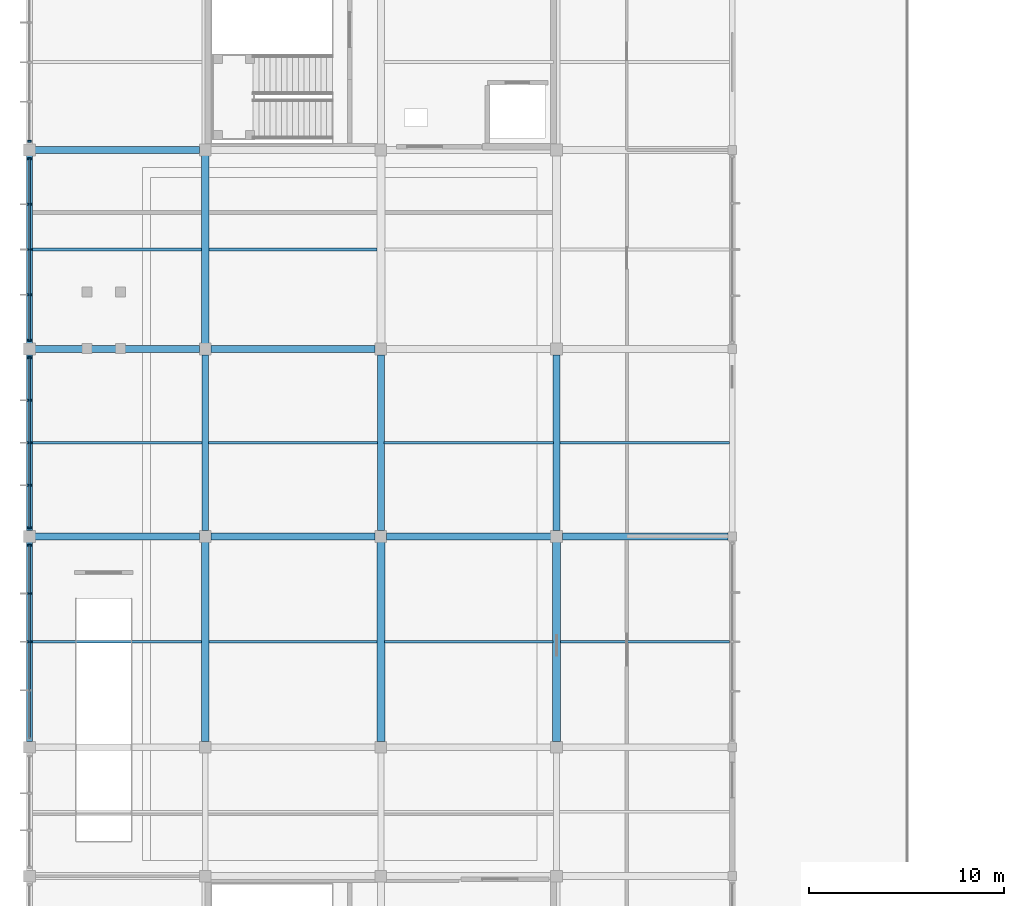
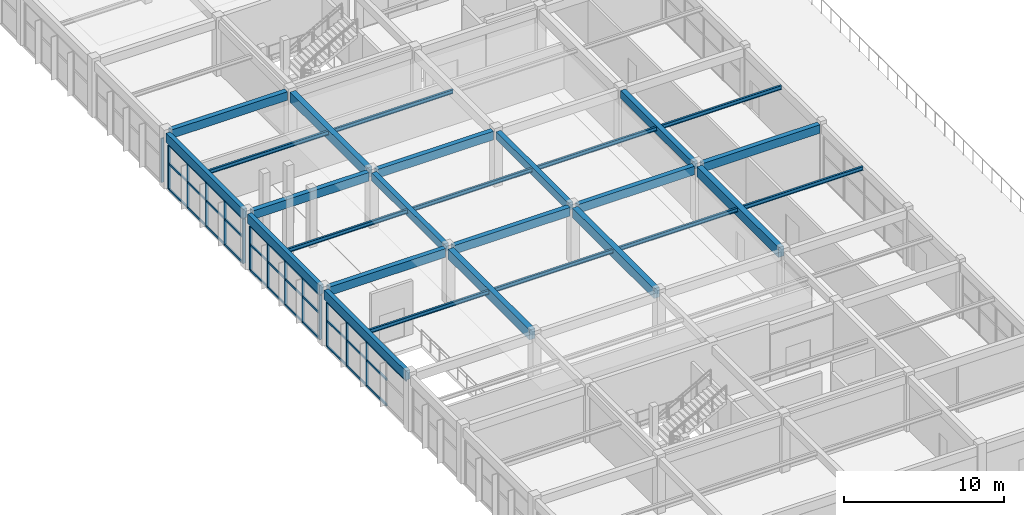
# One storey, part 10 of 89: 39 members, 27 beams, 4 elements without a shape of their own.
"""IFC4 building model written with IfcOpenShell, lengths in metres."""

from ifc_helpers import new_model, si_unit, direction, frame, origin, origin_2d, place, context, subcontext, project, spatial, rectangle, i_section, extrude, material, material_profile, profile_set, type_object, element, aggregate, save


model = new_model("IFC4")

# Units and contexts
model_context = context("Model", 3, precision=1e-05, world=origin(), true_north=direction((0.0, 1.0)))
body_context = subcontext(model_context, "Body", "Model", "MODEL_VIEW")
ifc_project = project(units=[si_unit("LENGTHUNIT", "METRE"), si_unit("AREAUNIT", "SQUARE_METRE"), si_unit("VOLUMEUNIT", "CUBIC_METRE"), si_unit("PLANEANGLEUNIT", "RADIAN"), si_unit("MASSUNIT", "GRAM", prefix="KILO")], contexts=[model_context])

# Site, building, storey
site_placement = place(None, origin())
site = spatial("IfcSite", under=ifc_project, at=site_placement, CompositionType="ELEMENT")
building_placement = place(site_placement, origin())
building = spatial("IfcBuilding", under=site, at=building_placement, Name="Suirenkawa Promenade Aquatics Centre", CompositionType="ELEMENT")
storey_placement = place(building_placement, frame((0.0, 0.0, 9.60009765625)))
storey = spatial("IfcBuildingStorey", under=building, at=storey_placement, Name="L02", CompositionType="ELEMENT", Elevation=9.60009765625)

# Beams
ifc_material_1 = material(Name="Steel IS 2062 E350 (Grade 350)", Category="steel")
ifc_material_profile_1 = material_profile(ifc_material_1, i_section(OverallWidth=0.139892578125, OverallDepth=0.300048828125, WebThickness=0.008056640625, FlangeThickness=0.012939453125, at=origin_2d()), Name="ISMB 300", Category="steel")
ifc_profile_set_1 = profile_set([ifc_material_profile_1], Name="Steel IS 2062 E350 (Grade 350)")
beam_type_1 = type_object("IfcBeamType", Name="BT-JOIST-ISMB300", PredefinedType="JOIST", material=ifc_profile_set_1)
beam_1_placement = place(storey_placement, frame((0.14404296875, 34.199951171875, 4.087890625), z_axis=(1.0, 0.0, 0.0), x_axis=(0.0, 1.0, 0.0)))
element("IfcBeam", 1, at=beam_1_placement, inside=storey, type_object=beam_type_1, Name="Secondary floor joist JS-02 BM-0693", PredefinedType="JOIST", context=body_context, shape_type="SweptSolid", body=[
    extrude(i_section(OverallWidth=0.139892578125, OverallDepth=0.300048828125, WebThickness=0.008056640625, FlangeThickness=0.012939453125, at=origin_2d()), origin(), (0.0, 0.0, 1.0), 8.661865234375),
])
beam_2_placement = place(storey_placement, frame((0.14404296875, 44.39990234375, 4.087890625), z_axis=(1.0, 0.0, 0.0), x_axis=(0.0, 1.0, 0.0)))
element("IfcBeam", 2, at=beam_2_placement, inside=storey, type_object=beam_type_1, Name="Secondary floor joist JS-02 BM-0694", PredefinedType="JOIST", context=body_context, shape_type="SweptSolid", body=[
    extrude(i_section(OverallWidth=0.139892578125, OverallDepth=0.300048828125, WebThickness=0.008056640625, FlangeThickness=0.012939453125, at=origin_2d()), origin(), (0.0, 0.0, 1.0), 8.68701171875),
])
beam_3_placement = place(storey_placement, frame((0.14404296875, 54.300048828125, 4.087890625), z_axis=(1.0, 0.0, 0.0), x_axis=(0.0, 1.0, 0.0)))
element("IfcBeam", 3, at=beam_3_placement, inside=storey, type_object=beam_type_1, Name="Secondary floor joist JS-02 BM-0695", PredefinedType="JOIST", context=body_context, shape_type="SweptSolid", body=[
    extrude(i_section(OverallWidth=0.139892578125, OverallDepth=0.300048828125, WebThickness=0.008056640625, FlangeThickness=0.012939453125, at=origin_2d()), origin(), (0.0, 0.0, 1.0), 8.661865234375),
])
beam_4_placement = place(storey_placement, frame((9.194091796875, 34.199951171875, 4.087890625), z_axis=(1.0, 0.0, 0.0), x_axis=(0.0, 1.0, 0.0)))
element("IfcBeam", 4, at=beam_4_placement, inside=storey, type_object=beam_type_1, Name="Secondary floor joist JS-02 BM-0704", PredefinedType="JOIST", context=body_context, shape_type="SweptSolid", body=[
    extrude(i_section(OverallWidth=0.139892578125, OverallDepth=0.300048828125, WebThickness=0.008056640625, FlangeThickness=0.012939453125, at=origin_2d()), origin(), (0.0, 0.0, 1.0), 8.61181640625),
])
beam_5_placement = place(storey_placement, frame((9.1689453125, 44.39990234375, 4.087890625), z_axis=(1.0, 0.0, 0.0), x_axis=(0.0, 1.0, 0.0)))
element("IfcBeam", 5, at=beam_5_placement, inside=storey, type_object=beam_type_1, Name="Secondary floor joist JS-02 BM-0705", PredefinedType="JOIST", context=body_context, shape_type="SweptSolid", body=[
    extrude(i_section(OverallWidth=0.139892578125, OverallDepth=0.300048828125, WebThickness=0.008056640625, FlangeThickness=0.012939453125, at=origin_2d()), origin(), (0.0, 0.0, 1.0), 8.662109375),
])
for number, where, z_axis, x_axis, name in (
    (6, (9.194091796875, 54.300048828125, 4.087890625), (1.0, 0.0, 0.0), (0.0, 1.0, 0.0), "Secondary floor joist JS-02 BM-0706"),
    (7, (18.194091796875, 34.199951171875, 4.087890625), (1.0, 0.0, 0.0), (0.0, 1.0, 0.0), "Secondary floor joist JS-02 BM-0715"),
):
    element("IfcBeam", number, at=place(storey_placement, frame(where, z_axis=z_axis, x_axis=x_axis)), inside=storey, type_object=beam_type_1, Name=name, PredefinedType="JOIST", context=body_context, shape_type="SweptSolid", body=[
        extrude(i_section(OverallWidth=0.139892578125, OverallDepth=0.300048828125, WebThickness=0.008056640625, FlangeThickness=0.012939453125, at=origin_2d()), origin(), (0.0, 0.0, 1.0), 8.61181640625),
    ])
beam_6_placement = place(storey_placement, frame((18.1689453125, 44.39990234375, 4.087890625), z_axis=(1.0, 0.0, 0.0), x_axis=(0.0, 1.0, 0.0)))
element("IfcBeam", 8, at=beam_6_placement, inside=storey, type_object=beam_type_1, Name="Secondary floor joist JS-02 BM-0716", PredefinedType="JOIST", context=body_context, shape_type="SweptSolid", body=[
    extrude(i_section(OverallWidth=0.139892578125, OverallDepth=0.300048828125, WebThickness=0.008056640625, FlangeThickness=0.012939453125, at=origin_2d()), origin(), (0.0, 0.0, 1.0), 8.662109375),
])
beam_7_placement = place(storey_placement, frame((27.194091796875, 34.199951171875, 4.087890625), z_axis=(1.0, 0.0, 0.0), x_axis=(0.0, 1.0, 0.0)))
element("IfcBeam", 9, at=beam_7_placement, inside=storey, type_object=beam_type_1, Name="Secondary floor joist JS-02 BM-0727", PredefinedType="JOIST", context=body_context, shape_type="SweptSolid", body=[
    extrude(i_section(OverallWidth=0.139892578125, OverallDepth=0.300048828125, WebThickness=0.008056640625, FlangeThickness=0.012939453125, at=origin_2d()), origin(), (0.0, 0.0, 1.0), 8.661865234375),
])
beam_8_placement = place(storey_placement, frame((27.1689453125, 44.39990234375, 4.087890625), z_axis=(1.0, 0.0, 0.0), x_axis=(0.0, 1.0, 0.0)))
element("IfcBeam", 10, at=beam_8_placement, inside=storey, type_object=beam_type_1, Name="Secondary floor joist JS-02 BM-0728", PredefinedType="JOIST", context=body_context, shape_type="SweptSolid", body=[
    extrude(i_section(OverallWidth=0.139892578125, OverallDepth=0.300048828125, WebThickness=0.008056640625, FlangeThickness=0.012939453125, at=origin_2d()), origin(), (0.0, 0.0, 1.0), 8.68701171875),
])
ifc_material_2 = material(Name="Concrete M35", Category="concrete")
ifc_material_profile_2 = material_profile(ifc_material_2, rectangle(XDim=0.35009765625, YDim=0.60009765625, at=origin_2d()), Name="RC BM 350x600", Category="concrete")
ifc_profile_set_2 = profile_set([ifc_material_profile_2], Name="Concrete M35")
beam_type_2 = type_object("IfcBeamType", Name="BT-RC-350x600", PredefinedType="BEAM", material=ifc_profile_set_2)
for number, where, z_axis, x_axis, name in (
    (11, (9.0, 39.89404296875, 3.93994140625), (0.0, 1.0, 0.0), (-1.0, 0.0, 0.0), "Floor beam BM-02 BM-0646"),
    (12, (18.0, 39.89404296875, 3.93994140625), (0.0, 1.0, 0.0), (-1.0, 0.0, 0.0), "Floor beam BM-02 BM-0658"),
    (13, (27.0, 39.89404296875, 3.93994140625), (0.0, 1.0, 0.0), (-1.0, 0.0, 0.0), "Floor beam BM-02 BM-0670"),
):
    element("IfcBeam", number, at=place(storey_placement, frame(where, z_axis=z_axis, x_axis=x_axis)), inside=storey, type_object=beam_type_2, Name=name, PredefinedType="BEAM", context=body_context, shape_type="SweptSolid", body=[
        extrude(rectangle(XDim=0.35009765625, YDim=0.60009765625, at=origin_2d()), origin(), (0.0, 0.0, 1.0), 9.011962890625),
    ])
ifc_material_profile_3 = material_profile(ifc_material_2, rectangle(XDim=0.35009765625, YDim=0.64990234375, at=origin_2d()), Name="RC BM 350x650", Category="concrete")
ifc_profile_set_3 = profile_set([ifc_material_profile_3], Name="Concrete M35")
beam_type_3 = type_object("IfcBeamType", Name="BT-RC-350x650", PredefinedType="BEAM", material=ifc_profile_set_3)
for number, where, z_axis, x_axis, name in (
    (14, (0.2939453125, 39.60009765625, 3.914794921875), (1.0, 0.0, 0.0), (0.0, 1.0, 0.0), "Floor beam BM-03 BM-0594"),
    (15, (9.2939453125, 39.60009765625, 3.914794921875), (1.0, 0.0, 0.0), (0.0, 1.0, 0.0), "Floor beam BM-03 BM-0595"),
    (16, (18.2939453125, 39.60009765625, 3.914794921875), (1.0, 0.0, 0.0), (0.0, 1.0, 0.0), "Floor beam BM-03 BM-0596"),
):
    element("IfcBeam", number, at=place(storey_placement, frame(where, z_axis=z_axis, x_axis=x_axis)), inside=storey, type_object=beam_type_3, Name=name, PredefinedType="BEAM", context=body_context, shape_type="SweptSolid", body=[
        extrude(rectangle(XDim=0.35009765625, YDim=0.64990234375, at=origin_2d()), origin(), (0.0, 0.0, 1.0), 8.412109375),
    ])
beam_9_placement = place(storey_placement, frame((27.2939453125, 39.60009765625, 3.914794921875), z_axis=(1.0, 0.0, 0.0), x_axis=(0.0, 1.0, 0.0)))
element("IfcBeam", 17, at=beam_9_placement, inside=storey, type_object=beam_type_3, Name="Floor beam BM-03 BM-0597", PredefinedType="BEAM", context=body_context, shape_type="SweptSolid", body=[
    extrude(rectangle(XDim=0.35009765625, YDim=0.64990234375, at=origin_2d()), origin(), (0.0, 0.0, 1.0), 8.487060546875),
])
for number, where, z_axis, x_axis, name in (
    (18, (0.2939453125, 49.199951171875, 3.914794921875), (1.0, 0.0, 0.0), (0.0, 1.0, 0.0), "Floor beam BM-03 BM-0598"),
    (19, (9.2939453125, 49.199951171875, 3.914794921875), (1.0, 0.0, 0.0), (0.0, 1.0, 0.0), "Floor beam BM-03 BM-0599"),
    (20, (0.2939453125, 59.39990234375, 3.914794921875), (1.0, 0.0, 0.0), (0.0, 1.0, 0.0), "Floor beam BM-03 BM-0602"),
):
    element("IfcBeam", number, at=place(storey_placement, frame(where, z_axis=z_axis, x_axis=x_axis)), inside=storey, type_object=beam_type_3, Name=name, PredefinedType="BEAM", context=body_context, shape_type="SweptSolid", body=[
        extrude(rectangle(XDim=0.35009765625, YDim=0.64990234375, at=origin_2d()), origin(), (0.0, 0.0, 1.0), 8.412109375),
    ])
ifc_material_3 = material(Name="Concrete M40", Category="concrete")
ifc_material_profile_4 = material_profile(ifc_material_3, rectangle(XDim=0.39990234375, YDim=0.75, at=origin_2d()), Name="RC BM 400x750", Category="concrete")
ifc_profile_set_4 = profile_set([ifc_material_profile_4], Name="Concrete M40")
beam_type_4 = type_object("IfcBeamType", Name="BT-RC-400x750", PredefinedType="BEAM", material=ifc_profile_set_4)
beam_10_placement = place(storey_placement, frame((9.0, 29.093994140625, 3.864990234375), z_axis=(0.0, 1.0, 0.0), x_axis=(-1.0, 0.0, 0.0)))
element("IfcBeam", 21, at=beam_10_placement, inside=storey, type_object=beam_type_4, Name="Floor beam BM-05 BM-0645", PredefinedType="BEAM", context=body_context, shape_type="SweptSolid", body=[
    extrude(rectangle(XDim=0.39990234375, YDim=0.75, at=origin_2d()), origin(), (0.0, 0.0, 1.0), 10.2119140625),
])
beam_11_placement = place(storey_placement, frame((9.0, 49.493896484375, 3.864990234375), z_axis=(0.0, 1.0, 0.0), x_axis=(-1.0, 0.0, 0.0)))
element("IfcBeam", 22, at=beam_11_placement, inside=storey, type_object=beam_type_4, Name="Floor beam BM-05 BM-0647", PredefinedType="BEAM", context=body_context, shape_type="SweptSolid", body=[
    extrude(rectangle(XDim=0.39990234375, YDim=0.75, at=origin_2d()), origin(), (0.0, 0.0, 1.0), 9.612060546875),
])
for number, where, z_axis, x_axis, name in (
    (23, (18.0, 29.093994140625, 3.864990234375), (0.0, 1.0, 0.0), (-1.0, 0.0, 0.0), "Floor beam BM-05 BM-0657"),
    (24, (27.0, 29.093994140625, 3.864990234375), (0.0, 1.0, 0.0), (-1.0, 0.0, 0.0), "Floor beam BM-05 BM-0669"),
):
    element("IfcBeam", number, at=place(storey_placement, frame(where, z_axis=z_axis, x_axis=x_axis)), inside=storey, type_object=beam_type_4, Name=name, PredefinedType="BEAM", context=body_context, shape_type="SweptSolid", body=[
        extrude(rectangle(XDim=0.39990234375, YDim=0.75, at=origin_2d()), origin(), (0.0, 0.0, 1.0), 10.2119140625),
    ])
ifc_material_profile_5 = material_profile(ifc_material_3, rectangle(XDim=0.300048828125, YDim=0.699951171875, at=origin_2d()), Name="RC SPANDREL 300x700", Category="concrete")
ifc_profile_set_5 = profile_set([ifc_material_profile_5], Name="Concrete M40")
beam_type_5 = type_object("IfcBeamType", Name="BT-SPANDREL-300x700", PredefinedType="SPANDREL", material=ifc_profile_set_5)
beam_12_placement = place(storey_placement, frame((0.0, 29.093994140625, 3.889892578125), z_axis=(0.0, 1.0, 0.0), x_axis=(-1.0, 0.0, 0.0)))
element("IfcBeam", 25, at=beam_12_placement, inside=storey, type_object=beam_type_5, Name="Floor beam SP-01 BM-0633", PredefinedType="SPANDREL", context=body_context, shape_type="SweptSolid", body=[
    extrude(rectangle(XDim=0.300048828125, YDim=0.699951171875, at=origin_2d()), origin(), (0.0, 0.0, 1.0), 10.2119140625),
])
beam_13_placement = place(storey_placement, frame((0.0, 39.89404296875, 3.889892578125), z_axis=(0.0, 1.0, 0.0), x_axis=(-1.0, 0.0, 0.0)))
element("IfcBeam", 26, at=beam_13_placement, inside=storey, type_object=beam_type_5, Name="Floor beam SP-01 BM-0634", PredefinedType="SPANDREL", context=body_context, shape_type="SweptSolid", body=[
    extrude(rectangle(XDim=0.300048828125, YDim=0.699951171875, at=origin_2d()), origin(), (0.0, 0.0, 1.0), 9.011962890625),
])
beam_14_placement = place(storey_placement, frame((0.0, 49.493896484375, 3.889892578125), z_axis=(0.0, 1.0, 0.0), x_axis=(-1.0, 0.0, 0.0)))
element("IfcBeam", 27, at=beam_14_placement, inside=storey, type_object=beam_type_5, Name="Floor beam SP-01 BM-0635", PredefinedType="SPANDREL", context=body_context, shape_type="SweptSolid", body=[
    extrude(rectangle(XDim=0.300048828125, YDim=0.699951171875, at=origin_2d()), origin(), (0.0, 0.0, 1.0), 9.612060546875),
])

# Curtain wall, members
ifc_material_4 = material(Name="Anodised aluminium 6063-T6", Category="aluminium")
curtain_wall_type_1 = type_object("IfcCurtainWallType", Name="CWAT-V5WL02-63", PredefinedType="NOTDEFINED", material=ifc_material_4)
curtain_wall_1_placement = place(storey_placement, origin())
curtain_wall_1 = element("IfcCurtainWall", 28, at=curtain_wall_1_placement, inside=storey, type_object=curtain_wall_type_1, Name="Curtain wall CWA-63 CW-117", PredefinedType="NOTDEFINED")
ifc_material_profile_6 = material_profile(ifc_material_4, rectangle(XDim=0.094970703125, YDim=0.18994140625, at=origin_2d()), Name="ALU MULL 95x190", Category="aluminium")
ifc_profile_set_6 = profile_set([ifc_material_profile_6], Name="Anodised aluminium 6063-T6")
member_type_1 = type_object("IfcMemberType", Name="CWM-190x95", PredefinedType="MULLION", material=ifc_profile_set_6)
member_1_placement = place(storey_placement, frame((0.0, 34.199951171875, 0.0), z_axis=(0.0, 0.0, 1.0), x_axis=(0.0, 1.0, 0.0)))
member_1 = element("IfcMember", 29, at=member_1_placement, type_object=member_type_1, Name="Mullion ML-02 CWM-02350", PredefinedType="MULLION", context=body_context, shape_type="SweptSolid", body=[
    extrude(rectangle(XDim=0.094970703125, YDim=0.18994140625, at=origin_2d()), origin(), (0.0, 0.0, 1.0), 3.369873046875),
])
member_2_placement = place(storey_placement, frame((0.0, 36.675537109375, 0.0), z_axis=(0.0, 0.0, 1.0), x_axis=(0.0, 1.0, 0.0)))
member_2 = element("IfcMember", 30, at=member_2_placement, type_object=member_type_1, Name="Mullion ML-02 CWM-02351", PredefinedType="MULLION", context=body_context, shape_type="SweptSolid", body=[
    extrude(rectangle(XDim=0.094970703125, YDim=0.18994140625, at=origin_2d()), origin(), (0.0, 0.0, 1.0), 3.369873046875),
])
member_3_placement = place(storey_placement, frame((0.0, 39.15087890625, 0.0), z_axis=(0.0, 0.0, 1.0), x_axis=(0.0, 1.0, 0.0)))
member_3 = element("IfcMember", 31, at=member_3_placement, type_object=member_type_1, Name="Mullion ML-02 CWM-02352", PredefinedType="MULLION", context=body_context, shape_type="SweptSolid", body=[
    extrude(rectangle(XDim=0.094970703125, YDim=0.18994140625, at=origin_2d()), origin(), (0.0, 0.0, 1.0), 3.369873046875),
])

curtain_wall_type_2 = type_object("IfcCurtainWallType", Name="CWAT-V5WL02-65", PredefinedType="NOTDEFINED", material=ifc_material_4)
curtain_wall_2_placement = place(storey_placement, origin())
curtain_wall_2 = element("IfcCurtainWall", 32, at=curtain_wall_2_placement, inside=storey, type_object=curtain_wall_type_2, Name="Curtain wall CWA-65 CW-119", PredefinedType="NOTDEFINED")
member_4_placement = place(storey_placement, frame((0.0, 40.049072265625, 0.0), z_axis=(0.0, 0.0, 1.0), x_axis=(0.0, 1.0, 0.0)))
member_4 = element("IfcMember", 33, at=member_4_placement, type_object=member_type_1, Name="Mullion ML-02 CWM-02392", PredefinedType="MULLION", context=body_context, shape_type="SweptSolid", body=[
    extrude(rectangle(XDim=0.094970703125, YDim=0.18994140625, at=origin_2d()), origin(), (0.0, 0.0, 1.0), 3.369873046875),
])
member_5_placement = place(storey_placement, frame((0.0, 42.224609375, 0.0), z_axis=(0.0, 0.0, 1.0), x_axis=(0.0, 1.0, 0.0)))
member_5 = element("IfcMember", 34, at=member_5_placement, type_object=member_type_1, Name="Mullion ML-02 CWM-02393", PredefinedType="MULLION", context=body_context, shape_type="SweptSolid", body=[
    extrude(rectangle(XDim=0.094970703125, YDim=0.18994140625, at=origin_2d()), origin(), (0.0, 0.0, 1.0), 3.369873046875),
])
member_6_placement = place(storey_placement, frame((0.0, 44.39990234375, 0.0), z_axis=(0.0, 0.0, 1.0), x_axis=(0.0, 1.0, 0.0)))
member_6 = element("IfcMember", 35, at=member_6_placement, type_object=member_type_1, Name="Mullion ML-02 CWM-02394", PredefinedType="MULLION", context=body_context, shape_type="SweptSolid", body=[
    extrude(rectangle(XDim=0.094970703125, YDim=0.18994140625, at=origin_2d()), origin(), (0.0, 0.0, 1.0), 3.369873046875),
])
member_7_placement = place(storey_placement, frame((0.0, 46.575439453125, 0.0), z_axis=(0.0, 0.0, 1.0), x_axis=(0.0, 1.0, 0.0)))
member_7 = element("IfcMember", 36, at=member_7_placement, type_object=member_type_1, Name="Mullion ML-02 CWM-02395", PredefinedType="MULLION", context=body_context, shape_type="SweptSolid", body=[
    extrude(rectangle(XDim=0.094970703125, YDim=0.18994140625, at=origin_2d()), origin(), (0.0, 0.0, 1.0), 3.369873046875),
])
member_8_placement = place(storey_placement, frame((0.0, 48.7509765625, 0.0), z_axis=(0.0, 0.0, 1.0), x_axis=(0.0, 1.0, 0.0)))
member_8 = element("IfcMember", 37, at=member_8_placement, type_object=member_type_1, Name="Mullion ML-02 CWM-02396", PredefinedType="MULLION", context=body_context, shape_type="SweptSolid", body=[
    extrude(rectangle(XDim=0.094970703125, YDim=0.18994140625, at=origin_2d()), origin(), (0.0, 0.0, 1.0), 3.369873046875),
])

curtain_wall_type_3 = type_object("IfcCurtainWallType", Name="CWAT-V5WL02-66", PredefinedType="NOTDEFINED", material=ifc_material_4)
curtain_wall_3_placement = place(storey_placement, origin())
curtain_wall_3 = element("IfcCurtainWall", 38, at=curtain_wall_3_placement, inside=storey, type_object=curtain_wall_type_3, Name="Curtain wall CWA-66 CW-120", PredefinedType="NOTDEFINED")
member_9_placement = place(storey_placement, frame((0.0, 49.64892578125, 0.0), z_axis=(0.0, 0.0, 1.0), x_axis=(0.0, 1.0, 0.0)))
member_9 = element("IfcMember", 39, at=member_9_placement, type_object=member_type_1, Name="Mullion ML-02 CWM-02414", PredefinedType="MULLION", context=body_context, shape_type="SweptSolid", body=[
    extrude(rectangle(XDim=0.094970703125, YDim=0.18994140625, at=origin_2d()), origin(), (0.0, 0.0, 1.0), 3.369873046875),
])
member_10_placement = place(storey_placement, frame((0.0, 51.974609375, 0.0), z_axis=(0.0, 0.0, 1.0), x_axis=(0.0, 1.0, 0.0)))
member_10 = element("IfcMember", 40, at=member_10_placement, type_object=member_type_1, Name="Mullion ML-02 CWM-02415", PredefinedType="MULLION", context=body_context, shape_type="SweptSolid", body=[
    extrude(rectangle(XDim=0.094970703125, YDim=0.18994140625, at=origin_2d()), origin(), (0.0, 0.0, 1.0), 3.369873046875),
])
member_11_placement = place(storey_placement, frame((0.0, 54.300048828125, 0.0), z_axis=(0.0, 0.0, 1.0), x_axis=(0.0, 1.0, 0.0)))
member_11 = element("IfcMember", 41, at=member_11_placement, type_object=member_type_1, Name="Mullion ML-02 CWM-02416", PredefinedType="MULLION", context=body_context, shape_type="SweptSolid", body=[
    extrude(rectangle(XDim=0.094970703125, YDim=0.18994140625, at=origin_2d()), origin(), (0.0, 0.0, 1.0), 3.369873046875),
])
member_12_placement = place(storey_placement, frame((0.0, 56.62548828125, 0.0), z_axis=(0.0, 0.0, 1.0), x_axis=(0.0, 1.0, 0.0)))
member_12 = element("IfcMember", 42, at=member_12_placement, type_object=member_type_1, Name="Mullion ML-02 CWM-02417", PredefinedType="MULLION", context=body_context, shape_type="SweptSolid", body=[
    extrude(rectangle(XDim=0.094970703125, YDim=0.18994140625, at=origin_2d()), origin(), (0.0, 0.0, 1.0), 3.369873046875),
])
member_13_placement = place(storey_placement, frame((0.0, 58.950927734375, 0.0), z_axis=(0.0, 0.0, 1.0), x_axis=(0.0, 1.0, 0.0)))
member_13 = element("IfcMember", 43, at=member_13_placement, type_object=member_type_1, Name="Mullion ML-02 CWM-02418", PredefinedType="MULLION", context=body_context, shape_type="SweptSolid", body=[
    extrude(rectangle(XDim=0.094970703125, YDim=0.18994140625, at=origin_2d()), origin(), (0.0, 0.0, 1.0), 3.369873046875),
])

# Curtain wall, member
curtain_wall_type_4 = type_object("IfcCurtainWallType", Name="CWAT-V5WL02-60", PredefinedType="NOTDEFINED", material=ifc_material_4)
curtain_wall_4_placement = place(storey_placement, origin())
curtain_wall_4 = element("IfcCurtainWall", 44, at=curtain_wall_4_placement, inside=storey, type_object=curtain_wall_type_4, Name="Curtain wall CWA-60 CW-122", PredefinedType="NOTDEFINED")
member_14_placement = place(storey_placement, frame((0.0, 59.84912109375, 0.0), z_axis=(0.0, 0.0, 1.0), x_axis=(0.0, 1.0, 0.0)))
member_14 = element("IfcMember", 45, at=member_14_placement, type_object=member_type_1, Name="Mullion ML-02 CWM-02458", PredefinedType="MULLION", context=body_context, shape_type="SweptSolid", body=[
    extrude(rectangle(XDim=0.094970703125, YDim=0.18994140625, at=origin_2d()), origin(), (0.0, 0.0, 1.0), 3.369873046875),
])
aggregate(curtain_wall_4, [member_14])

# Member
ifc_material_profile_7 = material_profile(ifc_material_4, rectangle(XDim=0.094970703125, YDim=0.14990234375, at=origin_2d()), Name="ALU TRAN 95x150", Category="aluminium")
ifc_profile_set_7 = profile_set([ifc_material_profile_7], Name="Anodised aluminium 6063-T6")
member_type_2 = type_object("IfcMemberType", Name="CWT-150x95", PredefinedType="USERDEFINED", material=ifc_profile_set_7)
member_15_placement = place(storey_placement, frame((0.0, 31.724609375, 0.0), z_axis=(0.0, 1.0, 0.0), x_axis=(-1.0, 0.0, 0.0)))
member_15 = element("IfcMember", 46, at=member_15_placement, type_object=member_type_2, Name="Transom TR-02 CWT-02354", ObjectType="TRANSOM", PredefinedType="USERDEFINED", context=body_context, shape_type="SweptSolid", body=[
    extrude(rectangle(XDim=0.094970703125, YDim=0.14990234375, at=origin_2d()), origin(), (0.0, 0.0, 1.0), 2.475341796875),
])

member_16_placement = place(storey_placement, frame((0.0, 34.199951171875, 0.0), z_axis=(0.0, 1.0, 0.0), x_axis=(-1.0, 0.0, 0.0)))
member_16 = element("IfcMember", 47, at=member_16_placement, type_object=member_type_2, Name="Transom TR-02 CWT-02355", ObjectType="TRANSOM", PredefinedType="USERDEFINED", context=body_context, shape_type="SweptSolid", body=[
    extrude(rectangle(XDim=0.094970703125, YDim=0.14990234375, at=origin_2d()), origin(), (0.0, 0.0, 1.0), 2.4755859375),
])

member_17_placement = place(storey_placement, frame((0.0, 36.675537109375, 0.0), z_axis=(0.0, 1.0, 0.0), x_axis=(-1.0, 0.0, 0.0)))
member_17 = element("IfcMember", 48, at=member_17_placement, type_object=member_type_2, Name="Transom TR-02 CWT-02356", ObjectType="TRANSOM", PredefinedType="USERDEFINED", context=body_context, shape_type="SweptSolid", body=[
    extrude(rectangle(XDim=0.094970703125, YDim=0.14990234375, at=origin_2d()), origin(), (0.0, 0.0, 1.0), 2.475341796875),
])

member_18_placement = place(storey_placement, frame((0.0, 31.724609375, 1.949951171875), z_axis=(0.0, 1.0, 0.0), x_axis=(-1.0, 0.0, 0.0)))
member_18 = element("IfcMember", 49, at=member_18_placement, type_object=member_type_2, Name="Transom TR-02 CWT-02358", ObjectType="TRANSOM", PredefinedType="USERDEFINED", context=body_context, shape_type="SweptSolid", body=[
    extrude(rectangle(XDim=0.094970703125, YDim=0.14990234375, at=origin_2d()), origin(), (0.0, 0.0, 1.0), 2.475341796875),
])

member_19_placement = place(storey_placement, frame((0.0, 34.199951171875, 1.949951171875), z_axis=(0.0, 1.0, 0.0), x_axis=(-1.0, 0.0, 0.0)))
member_19 = element("IfcMember", 50, at=member_19_placement, type_object=member_type_2, Name="Transom TR-02 CWT-02359", ObjectType="TRANSOM", PredefinedType="USERDEFINED", context=body_context, shape_type="SweptSolid", body=[
    extrude(rectangle(XDim=0.094970703125, YDim=0.14990234375, at=origin_2d()), origin(), (0.0, 0.0, 1.0), 2.4755859375),
])

member_20_placement = place(storey_placement, frame((0.0, 36.675537109375, 1.949951171875), z_axis=(0.0, 1.0, 0.0), x_axis=(-1.0, 0.0, 0.0)))
member_20 = element("IfcMember", 51, at=member_20_placement, type_object=member_type_2, Name="Transom TR-02 CWT-02360", ObjectType="TRANSOM", PredefinedType="USERDEFINED", context=body_context, shape_type="SweptSolid", body=[
    extrude(rectangle(XDim=0.094970703125, YDim=0.14990234375, at=origin_2d()), origin(), (0.0, 0.0, 1.0), 2.475341796875),
])

member_21_placement = place(storey_placement, frame((0.0, 29.2490234375, 3.369873046875), z_axis=(0.0, 1.0, 0.0), x_axis=(-1.0, 0.0, 0.0)))
member_21 = element("IfcMember", 52, at=member_21_placement, type_object=member_type_2, Name="Roofline transom TR-02 CWT-02361", ObjectType="TRANSOM", PredefinedType="USERDEFINED", context=body_context, shape_type="SweptSolid", body=[
    extrude(rectangle(XDim=0.094970703125, YDim=0.14990234375, at=origin_2d()), origin(), (0.0, 0.0, 1.0), 9.90185546875),
])

aggregate(curtain_wall_1, [member_1, member_2, member_3, member_15, member_16, member_17, member_18, member_19, member_20, member_21])

member_22_placement = place(storey_placement, frame((0.0, 40.049072265625, 0.0), z_axis=(0.0, 1.0, 0.0), x_axis=(-1.0, 0.0, 0.0)))
member_22 = element("IfcMember", 53, at=member_22_placement, type_object=member_type_2, Name="Transom TR-02 CWT-02397", ObjectType="TRANSOM", PredefinedType="USERDEFINED", context=body_context, shape_type="SweptSolid", body=[
    extrude(rectangle(XDim=0.094970703125, YDim=0.14990234375, at=origin_2d()), origin(), (0.0, 0.0, 1.0), 2.175537109375),
])

member_23_placement = place(storey_placement, frame((0.0, 42.224609375, 0.0), z_axis=(0.0, 1.0, 0.0), x_axis=(-1.0, 0.0, 0.0)))
member_23 = element("IfcMember", 54, at=member_23_placement, type_object=member_type_2, Name="Transom TR-02 CWT-02398", ObjectType="TRANSOM", PredefinedType="USERDEFINED", context=body_context, shape_type="SweptSolid", body=[
    extrude(rectangle(XDim=0.094970703125, YDim=0.14990234375, at=origin_2d()), origin(), (0.0, 0.0, 1.0), 2.17529296875),
])

member_24_placement = place(storey_placement, frame((0.0, 44.39990234375, 0.0), z_axis=(0.0, 1.0, 0.0), x_axis=(-1.0, 0.0, 0.0)))
member_24 = element("IfcMember", 55, at=member_24_placement, type_object=member_type_2, Name="Transom TR-02 CWT-02399", ObjectType="TRANSOM", PredefinedType="USERDEFINED", context=body_context, shape_type="SweptSolid", body=[
    extrude(rectangle(XDim=0.094970703125, YDim=0.14990234375, at=origin_2d()), origin(), (0.0, 0.0, 1.0), 2.175537109375),
])

member_25_placement = place(storey_placement, frame((0.0, 46.575439453125, 0.0), z_axis=(0.0, 1.0, 0.0), x_axis=(-1.0, 0.0, 0.0)))
member_25 = element("IfcMember", 56, at=member_25_placement, type_object=member_type_2, Name="Transom TR-02 CWT-02400", ObjectType="TRANSOM", PredefinedType="USERDEFINED", context=body_context, shape_type="SweptSolid", body=[
    extrude(rectangle(XDim=0.094970703125, YDim=0.14990234375, at=origin_2d()), origin(), (0.0, 0.0, 1.0), 2.175537109375),
])

member_26_placement = place(storey_placement, frame((0.0, 40.049072265625, 1.949951171875), z_axis=(0.0, 1.0, 0.0), x_axis=(-1.0, 0.0, 0.0)))
member_26 = element("IfcMember", 57, at=member_26_placement, type_object=member_type_2, Name="Transom TR-02 CWT-02401", ObjectType="TRANSOM", PredefinedType="USERDEFINED", context=body_context, shape_type="SweptSolid", body=[
    extrude(rectangle(XDim=0.094970703125, YDim=0.14990234375, at=origin_2d()), origin(), (0.0, 0.0, 1.0), 2.175537109375),
])

member_27_placement = place(storey_placement, frame((0.0, 42.224609375, 1.949951171875), z_axis=(0.0, 1.0, 0.0), x_axis=(-1.0, 0.0, 0.0)))
member_27 = element("IfcMember", 58, at=member_27_placement, type_object=member_type_2, Name="Transom TR-02 CWT-02402", ObjectType="TRANSOM", PredefinedType="USERDEFINED", context=body_context, shape_type="SweptSolid", body=[
    extrude(rectangle(XDim=0.094970703125, YDim=0.14990234375, at=origin_2d()), origin(), (0.0, 0.0, 1.0), 2.17529296875),
])

member_28_placement = place(storey_placement, frame((0.0, 44.39990234375, 1.949951171875), z_axis=(0.0, 1.0, 0.0), x_axis=(-1.0, 0.0, 0.0)))
member_28 = element("IfcMember", 59, at=member_28_placement, type_object=member_type_2, Name="Transom TR-02 CWT-02403", ObjectType="TRANSOM", PredefinedType="USERDEFINED", context=body_context, shape_type="SweptSolid", body=[
    extrude(rectangle(XDim=0.094970703125, YDim=0.14990234375, at=origin_2d()), origin(), (0.0, 0.0, 1.0), 2.175537109375),
])

member_29_placement = place(storey_placement, frame((0.0, 46.575439453125, 1.949951171875), z_axis=(0.0, 1.0, 0.0), x_axis=(-1.0, 0.0, 0.0)))
member_29 = element("IfcMember", 60, at=member_29_placement, type_object=member_type_2, Name="Transom TR-02 CWT-02404", ObjectType="TRANSOM", PredefinedType="USERDEFINED", context=body_context, shape_type="SweptSolid", body=[
    extrude(rectangle(XDim=0.094970703125, YDim=0.14990234375, at=origin_2d()), origin(), (0.0, 0.0, 1.0), 2.175537109375),
])

member_30_placement = place(storey_placement, frame((0.0, 40.049072265625, 3.369873046875), z_axis=(0.0, 1.0, 0.0), x_axis=(-1.0, 0.0, 0.0)))
member_30 = element("IfcMember", 61, at=member_30_placement, type_object=member_type_2, Name="Roofline transom TR-02 CWT-02405", ObjectType="TRANSOM", PredefinedType="USERDEFINED", context=body_context, shape_type="SweptSolid", body=[
    extrude(rectangle(XDim=0.094970703125, YDim=0.14990234375, at=origin_2d()), origin(), (0.0, 0.0, 1.0), 8.701904296875),
])

aggregate(curtain_wall_2, [member_4, member_5, member_6, member_7, member_8, member_22, member_23, member_24, member_25, member_26, member_27, member_28, member_29, member_30])

member_31_placement = place(storey_placement, frame((0.0, 49.64892578125, 0.0), z_axis=(0.0, 1.0, 0.0), x_axis=(-1.0, 0.0, 0.0)))
member_31 = element("IfcMember", 62, at=member_31_placement, type_object=member_type_2, Name="Transom TR-02 CWT-02419", ObjectType="TRANSOM", PredefinedType="USERDEFINED", context=body_context, shape_type="SweptSolid", body=[
    extrude(rectangle(XDim=0.094970703125, YDim=0.14990234375, at=origin_2d()), origin(), (0.0, 0.0, 1.0), 2.32568359375),
])

member_32_placement = place(storey_placement, frame((0.0, 51.974609375, 0.0), z_axis=(0.0, 1.0, 0.0), x_axis=(-1.0, 0.0, 0.0)))
member_32 = element("IfcMember", 63, at=member_32_placement, type_object=member_type_2, Name="Transom TR-02 CWT-02420", ObjectType="TRANSOM", PredefinedType="USERDEFINED", context=body_context, shape_type="SweptSolid", body=[
    extrude(rectangle(XDim=0.094970703125, YDim=0.14990234375, at=origin_2d()), origin(), (0.0, 0.0, 1.0), 2.325439453125),
])

member_33_placement = place(storey_placement, frame((0.0, 54.300048828125, 0.0), z_axis=(0.0, 1.0, 0.0), x_axis=(-1.0, 0.0, 0.0)))
member_33 = element("IfcMember", 64, at=member_33_placement, type_object=member_type_2, Name="Transom TR-02 CWT-02421", ObjectType="TRANSOM", PredefinedType="USERDEFINED", context=body_context, shape_type="SweptSolid", body=[
    extrude(rectangle(XDim=0.094970703125, YDim=0.14990234375, at=origin_2d()), origin(), (0.0, 0.0, 1.0), 2.325439453125),
])

member_34_placement = place(storey_placement, frame((0.0, 56.62548828125, 0.0), z_axis=(0.0, 1.0, 0.0), x_axis=(-1.0, 0.0, 0.0)))
member_34 = element("IfcMember", 65, at=member_34_placement, type_object=member_type_2, Name="Transom TR-02 CWT-02422", ObjectType="TRANSOM", PredefinedType="USERDEFINED", context=body_context, shape_type="SweptSolid", body=[
    extrude(rectangle(XDim=0.094970703125, YDim=0.14990234375, at=origin_2d()), origin(), (0.0, 0.0, 1.0), 2.325439453125),
])

member_35_placement = place(storey_placement, frame((0.0, 49.64892578125, 1.949951171875), z_axis=(0.0, 1.0, 0.0), x_axis=(-1.0, 0.0, 0.0)))
member_35 = element("IfcMember", 66, at=member_35_placement, type_object=member_type_2, Name="Transom TR-02 CWT-02423", ObjectType="TRANSOM", PredefinedType="USERDEFINED", context=body_context, shape_type="SweptSolid", body=[
    extrude(rectangle(XDim=0.094970703125, YDim=0.14990234375, at=origin_2d()), origin(), (0.0, 0.0, 1.0), 2.32568359375),
])

member_36_placement = place(storey_placement, frame((0.0, 51.974609375, 1.949951171875), z_axis=(0.0, 1.0, 0.0), x_axis=(-1.0, 0.0, 0.0)))
member_36 = element("IfcMember", 67, at=member_36_placement, type_object=member_type_2, Name="Transom TR-02 CWT-02424", ObjectType="TRANSOM", PredefinedType="USERDEFINED", context=body_context, shape_type="SweptSolid", body=[
    extrude(rectangle(XDim=0.094970703125, YDim=0.14990234375, at=origin_2d()), origin(), (0.0, 0.0, 1.0), 2.325439453125),
])

member_37_placement = place(storey_placement, frame((0.0, 54.300048828125, 1.949951171875), z_axis=(0.0, 1.0, 0.0), x_axis=(-1.0, 0.0, 0.0)))
member_37 = element("IfcMember", 68, at=member_37_placement, type_object=member_type_2, Name="Transom TR-02 CWT-02425", ObjectType="TRANSOM", PredefinedType="USERDEFINED", context=body_context, shape_type="SweptSolid", body=[
    extrude(rectangle(XDim=0.094970703125, YDim=0.14990234375, at=origin_2d()), origin(), (0.0, 0.0, 1.0), 2.325439453125),
])

member_38_placement = place(storey_placement, frame((0.0, 56.62548828125, 1.949951171875), z_axis=(0.0, 1.0, 0.0), x_axis=(-1.0, 0.0, 0.0)))
member_38 = element("IfcMember", 69, at=member_38_placement, type_object=member_type_2, Name="Transom TR-02 CWT-02426", ObjectType="TRANSOM", PredefinedType="USERDEFINED", context=body_context, shape_type="SweptSolid", body=[
    extrude(rectangle(XDim=0.094970703125, YDim=0.14990234375, at=origin_2d()), origin(), (0.0, 0.0, 1.0), 2.325439453125),
])

member_39_placement = place(storey_placement, frame((0.0, 49.64892578125, 3.369873046875), z_axis=(0.0, 1.0, 0.0), x_axis=(-1.0, 0.0, 0.0)))
member_39 = element("IfcMember", 70, at=member_39_placement, type_object=member_type_2, Name="Roofline transom TR-02 CWT-02427", ObjectType="TRANSOM", PredefinedType="USERDEFINED", context=body_context, shape_type="SweptSolid", body=[
    extrude(rectangle(XDim=0.094970703125, YDim=0.14990234375, at=origin_2d()), origin(), (0.0, 0.0, 1.0), 9.302001953125),
])

aggregate(curtain_wall_3, [member_9, member_10, member_11, member_12, member_13, member_31, member_32, member_33, member_34, member_35, member_36, member_37, member_38, member_39])

save(model, "model.ifc")
